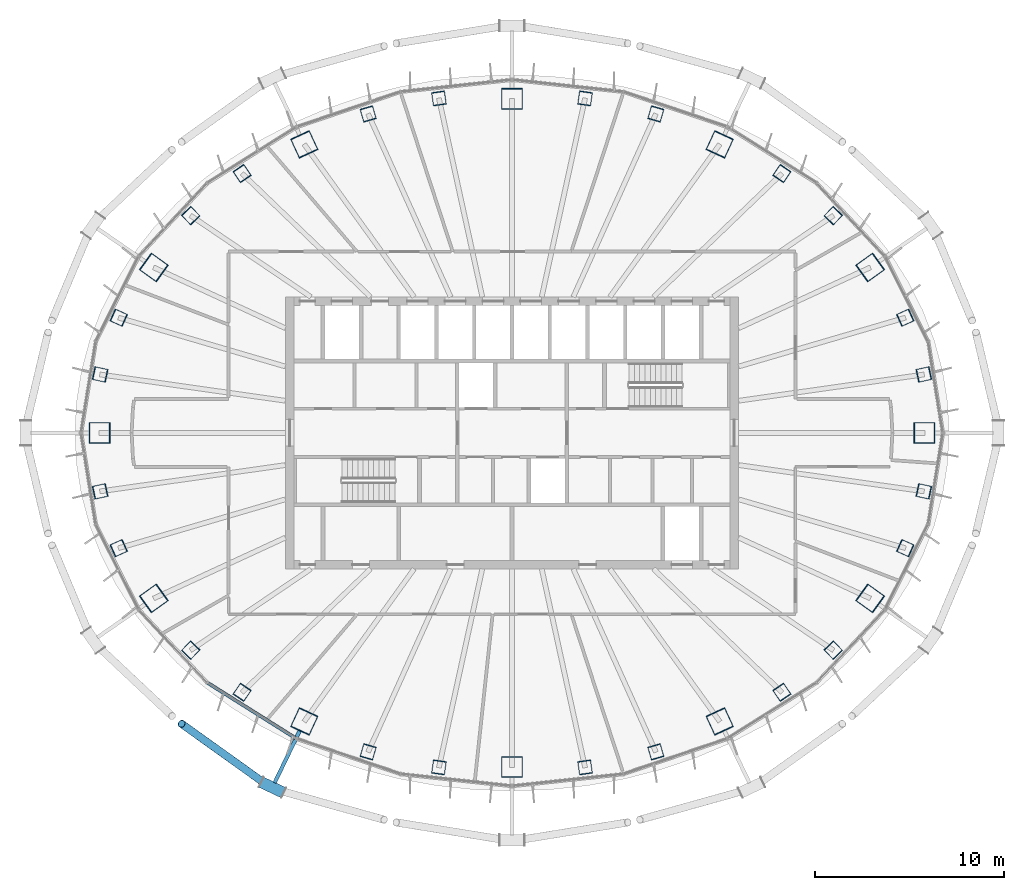
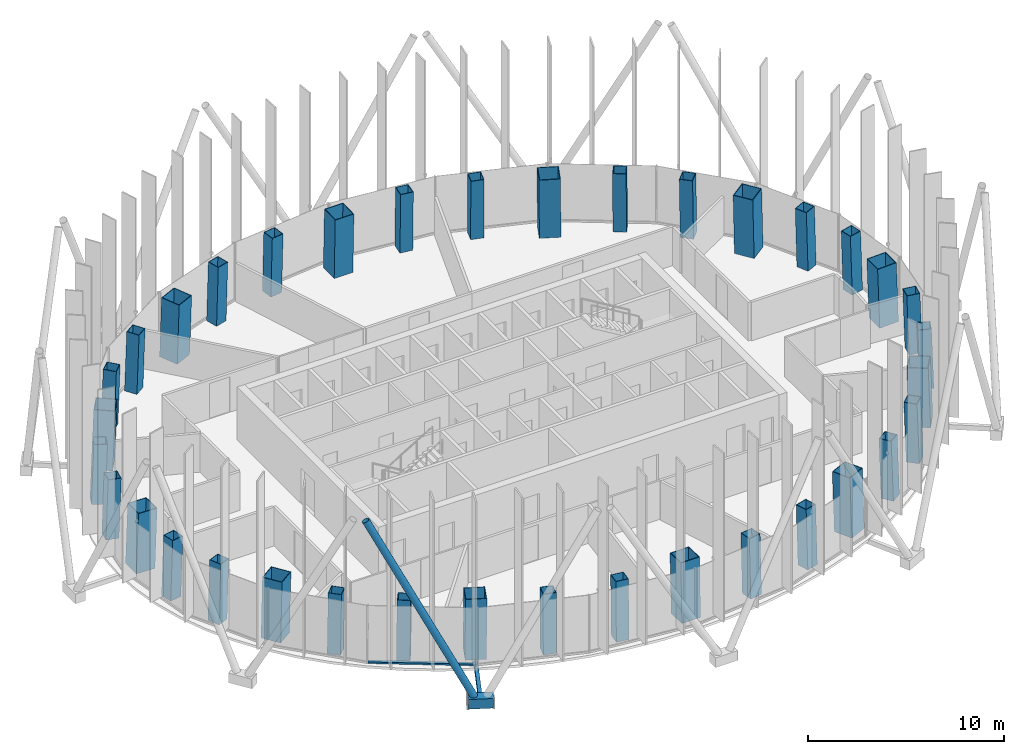
# One storey, part 1 of 17: 36 columns, 4 members, 1 element without a shape of its own.
"""IFC4 building model written with IfcOpenShell, lengths in metres."""

from ifc_helpers import new_model, si_unit, direction, frame, origin, origin_2d, place, context, subcontext, project, spatial, rectangle, hollow_rectangle, hollow_circle, extrude, material, layer, layer_set, material_profile, profile_set, type_object, element, aggregate, save


model = new_model("IFC4")

# Units and contexts
model_context = context("Model", 3, precision=1e-05, world=origin(), true_north=direction((0.0, 1.0)))
body_context = subcontext(model_context, "Body", "Model", "MODEL_VIEW")
ifc_project = project(units=[si_unit("LENGTHUNIT", "METRE"), si_unit("AREAUNIT", "SQUARE_METRE"), si_unit("VOLUMEUNIT", "CUBIC_METRE"), si_unit("PLANEANGLEUNIT", "RADIAN"), si_unit("MASSUNIT", "GRAM", prefix="KILO")], contexts=[model_context])

# Site, building, storey
site_placement = place(None, origin())
site = spatial("IfcSite", under=ifc_project, at=site_placement, CompositionType="ELEMENT")
building_placement = place(site_placement, origin())
building = spatial("IfcBuilding", under=site, at=building_placement, Name="Siaravel Broadcast Tower", CompositionType="ELEMENT")
storey_placement = place(building_placement, frame((0.0, 0.0, 190.39990234375)))
storey = spatial("IfcBuildingStorey", under=building, at=storey_placement, Name="L46", CompositionType="ELEMENT", Elevation=190.39990234375)

# Columns
ifc_material_1 = material(Name="Concrete C60/75", Category="concrete")
ifc_material_profile_1 = material_profile(ifc_material_1, hollow_rectangle(XDim=1.10009765625, YDim=1.10009765625, WallThickness=0.031982421875, at=origin_2d()))
ifc_profile_set_1 = profile_set([ifc_material_profile_1], Name="Concrete C60/75")
column_type_1 = type_object("IfcColumnType", Name="COL-CFT BOX 1100x1100x32", PredefinedType="COLUMN", material=ifc_profile_set_1)
column_1_placement = place(storey_placement, frame((21.852294921875, 0.0, 0.0), z_axis=(-0.034553121, 0.0, 0.999402863), x_axis=(0.0, -1.0, 0.0)))
element("IfcColumn", 1, at=column_1_placement, inside=storey, type_object=column_type_1, Name="Megacolumn MC01", PredefinedType="COLUMN", context=body_context, shape_type="SweptSolid", body=[
    extrude(hollow_rectangle(XDim=1.10009765625, YDim=1.10009765625, WallThickness=0.031982421875, at=origin_2d()), origin(), (0.0, 0.0, 1.0), 3.702392578125),
])
column_2_placement = place(storey_placement, frame((18.978271484375, 8.7666015625, 0.0), z_axis=(-0.030004578, -0.014177988, 0.999449203), x_axis=(0.583111534, -0.812370088, 0.005981537)))
element("IfcColumn", 2, at=column_2_placement, inside=storey, type_object=column_type_1, Name="Megacolumn MC02", PredefinedType="COLUMN", context=body_context, shape_type="SweptSolid", body=[
    extrude(hollow_rectangle(XDim=1.10009765625, YDim=1.10009765625, WallThickness=0.031982421875, at=origin_2d()), origin(), (0.0, 0.0, 1.0), 3.7021484375),
])
column_3_placement = place(storey_placement, frame((11.005859375, 15.287353515625, 0.0), z_axis=(-0.017279098, -0.024533681, 0.999549664), x_axis=(0.90834389, -0.418188718, 0.005438103)))
element("IfcColumn", 3, at=column_3_placement, inside=storey, type_object=column_type_1, Name="Megacolumn MC03", PredefinedType="COLUMN", context=body_context, shape_type="SweptSolid", body=[
    extrude(hollow_rectangle(XDim=1.10009765625, YDim=1.10009765625, WallThickness=0.031982421875, at=origin_2d()), origin(), (0.0, 0.0, 1.0), 3.701904296875),
])
column_4_placement = place(storey_placement, frame((0.0, 17.70068359375, 0.0), z_axis=(0.0, -0.02836019, 0.999597769), x_axis=(1.0, 0.0, 0.0)))
element("IfcColumn", 4, at=column_4_placement, inside=storey, type_object=column_type_1, Name="Megacolumn MC04", PredefinedType="COLUMN", context=body_context, shape_type="SweptSolid", body=[
    extrude(hollow_rectangle(XDim=1.10009765625, YDim=1.10009765625, WallThickness=0.031982421875, at=origin_2d()), origin(), (0.0, 0.0, 1.0), 3.70166015625),
])
column_5_placement = place(storey_placement, frame((-11.005859375, 15.287353515625, 0.0), z_axis=(0.017279098, -0.024533681, 0.999549664), x_axis=(0.90834389, 0.418188718, -0.005438103)))
element("IfcColumn", 5, at=column_5_placement, inside=storey, type_object=column_type_1, Name="Megacolumn MC05", PredefinedType="COLUMN", context=body_context, shape_type="SweptSolid", body=[
    extrude(hollow_rectangle(XDim=1.10009765625, YDim=1.10009765625, WallThickness=0.031982421875, at=origin_2d()), origin(), (0.0, 0.0, 1.0), 3.701904296875),
])
column_6_placement = place(storey_placement, frame((-18.978271484375, 8.7666015625, 0.0), z_axis=(0.030004578, -0.014177988, 0.999449203), x_axis=(0.583111534, 0.812370088, -0.005981537)))
element("IfcColumn", 6, at=column_6_placement, inside=storey, type_object=column_type_1, Name="Megacolumn MC06", PredefinedType="COLUMN", context=body_context, shape_type="SweptSolid", body=[
    extrude(hollow_rectangle(XDim=1.10009765625, YDim=1.10009765625, WallThickness=0.031982421875, at=origin_2d()), origin(), (0.0, 0.0, 1.0), 3.7021484375),
])
column_7_placement = place(storey_placement, frame((-21.852294921875, 0.0, 0.0), z_axis=(0.034553121, 0.0, 0.999402863), x_axis=(0.0, 1.0, 0.0)))
element("IfcColumn", 7, at=column_7_placement, inside=storey, type_object=column_type_1, Name="Megacolumn MC07", PredefinedType="COLUMN", context=body_context, shape_type="SweptSolid", body=[
    extrude(hollow_rectangle(XDim=1.10009765625, YDim=1.10009765625, WallThickness=0.031982421875, at=origin_2d()), origin(), (0.0, 0.0, 1.0), 3.702392578125),
])
column_8_placement = place(storey_placement, frame((-18.978271484375, -8.7666015625, 0.0), z_axis=(0.030004578, 0.014177988, 0.999449203), x_axis=(-0.583111534, 0.812370088, 0.005981537)))
element("IfcColumn", 8, at=column_8_placement, inside=storey, type_object=column_type_1, Name="Megacolumn MC08", PredefinedType="COLUMN", context=body_context, shape_type="SweptSolid", body=[
    extrude(hollow_rectangle(XDim=1.10009765625, YDim=1.10009765625, WallThickness=0.031982421875, at=origin_2d()), origin(), (0.0, 0.0, 1.0), 3.7021484375),
])
column_9_placement = place(storey_placement, frame((-11.005859375, -15.287353515625, 0.0), z_axis=(0.017279098, 0.024533681, 0.999549664), x_axis=(-0.90834389, 0.418188718, 0.005438103)))
element("IfcColumn", 9, at=column_9_placement, inside=storey, type_object=column_type_1, Name="Megacolumn MC09", PredefinedType="COLUMN", context=body_context, shape_type="SweptSolid", body=[
    extrude(hollow_rectangle(XDim=1.10009765625, YDim=1.10009765625, WallThickness=0.031982421875, at=origin_2d()), origin(), (0.0, 0.0, 1.0), 3.701904296875),
])
column_10_placement = place(storey_placement, frame((0.0, -17.70068359375, 0.0), z_axis=(0.0, 0.02836019, 0.999597769), x_axis=(-1.0, 0.0, 0.0)))
element("IfcColumn", 10, at=column_10_placement, inside=storey, type_object=column_type_1, Name="Megacolumn MC10", PredefinedType="COLUMN", context=body_context, shape_type="SweptSolid", body=[
    extrude(hollow_rectangle(XDim=1.10009765625, YDim=1.10009765625, WallThickness=0.031982421875, at=origin_2d()), origin(), (0.0, 0.0, 1.0), 3.70166015625),
])
column_11_placement = place(storey_placement, frame((11.005859375, -15.287353515625, 0.0), z_axis=(-0.017279098, 0.024533681, 0.999549664), x_axis=(-0.90834389, -0.418188718, -0.005438103)))
element("IfcColumn", 11, at=column_11_placement, inside=storey, type_object=column_type_1, Name="Megacolumn MC11", PredefinedType="COLUMN", context=body_context, shape_type="SweptSolid", body=[
    extrude(hollow_rectangle(XDim=1.10009765625, YDim=1.10009765625, WallThickness=0.031982421875, at=origin_2d()), origin(), (0.0, 0.0, 1.0), 3.701904296875),
])
column_12_placement = place(storey_placement, frame((18.978271484375, -8.7666015625, 0.0), z_axis=(-0.030004578, 0.014177988, 0.999449203), x_axis=(-0.583111534, -0.812370088, -0.005981537)))
element("IfcColumn", 12, at=column_12_placement, inside=storey, type_object=column_type_1, Name="Megacolumn MC12", PredefinedType="COLUMN", context=body_context, shape_type="SweptSolid", body=[
    extrude(hollow_rectangle(XDim=1.10009765625, YDim=1.10009765625, WallThickness=0.031982421875, at=origin_2d()), origin(), (0.0, 0.0, 1.0), 3.7021484375),
])
ifc_material_profile_2 = material_profile(ifc_material_1, hollow_rectangle(XDim=0.699951171875, YDim=0.699951171875, WallThickness=0.02490234375, at=origin_2d()))
ifc_profile_set_2 = profile_set([ifc_material_profile_2], Name="Concrete C60/75")
column_type_2 = type_object("IfcColumnType", Name="COL-CFT BOX 700x700x25", PredefinedType="COLUMN", material=ifc_profile_set_2)
for number, where, z_axis, x_axis, name in (
    (13, (21.821533203125, 3.09619140625, 0.0), (-0.034025803, -0.004879669, 0.999409042), (0.211866473, -0.977295573, 0.00244149), "Perimeter column C01"),
    (14, (20.837158203125, 6.105224609375, 0.0), (-0.032509669, -0.00962761, 0.99942505), (0.408630815, -0.912688669, 0.004500029), "Perimeter column C02"),
):
    element("IfcColumn", number, at=place(storey_placement, frame(where, z_axis=z_axis, x_axis=x_axis)), inside=storey, type_object=column_type_2, Name=name, PredefinedType="COLUMN", context=body_context, shape_type="SweptSolid", body=[
        extrude(hollow_rectangle(XDim=0.699951171875, YDim=0.699951171875, WallThickness=0.02490234375, at=origin_2d()), origin(), (0.0, 0.0, 1.0), 3.702392578125),
    ])
column_13_placement = place(storey_placement, frame((17.023681640625, 11.51220703125, 0.0), z_axis=(-0.026510431, -0.018201192, 0.999482823), x_axis=(0.720395191, -0.693533562, 0.0064782)))
element("IfcColumn", 15, at=column_13_placement, inside=storey, type_object=column_type_2, Name="Perimeter column C03", PredefinedType="COLUMN", context=body_context, shape_type="SweptSolid", body=[
    extrude(hollow_rectangle(XDim=0.699951171875, YDim=0.699951171875, WallThickness=0.02490234375, at=origin_2d()), origin(), (0.0, 0.0, 1.0), 3.7021484375),
])
column_14_placement = place(storey_placement, frame((14.30029296875, 13.742919921875, 0.0), z_axis=(-0.022224659, -0.021763019, 0.999516101), x_axis=(0.829326006, -0.55872981, 0.006274876)))
element("IfcColumn", 16, at=column_14_placement, inside=storey, type_object=column_type_2, Name="Perimeter column C04", PredefinedType="COLUMN", context=body_context, shape_type="SweptSolid", body=[
    extrude(hollow_rectangle(XDim=0.699951171875, YDim=0.699951171875, WallThickness=0.02490234375, at=origin_2d()), origin(), (0.0, 0.0, 1.0), 3.701904296875),
])
for number, where, z_axis, x_axis, name in (
    (17, (7.62158203125, 16.900146484375, 0.0), (-0.011805488, -0.026644788, 0.999575253), (0.960155413, -0.279439515, 0.003891149), "Perimeter column C05"),
    (18, (3.871337890625, 17.72314453125, 0.0), (-0.006001778, -0.027898372, 0.999592747), (0.990169418, -0.139858339, 0.002041788), "Perimeter column C06"),
    (19, (-3.871337890625, 17.72314453125, 0.0), (0.006001778, -0.027898372, 0.999592747), (0.990169418, 0.139858339, -0.002041788), "Perimeter column C07"),
    (20, (-7.62158203125, 16.900146484375, 0.0), (0.011805488, -0.026644788, 0.999575253), (0.960155413, 0.279439515, -0.003891149), "Perimeter column C08"),
):
    element("IfcColumn", number, at=place(storey_placement, frame(where, z_axis=z_axis, x_axis=x_axis)), inside=storey, type_object=column_type_2, Name=name, PredefinedType="COLUMN", context=body_context, shape_type="SweptSolid", body=[
        extrude(hollow_rectangle(XDim=0.699951171875, YDim=0.699951171875, WallThickness=0.02490234375, at=origin_2d()), origin(), (0.0, 0.0, 1.0), 3.70166015625),
    ])
column_15_placement = place(storey_placement, frame((-14.30029296875, 13.742919921875, 0.0), z_axis=(0.022224659, -0.021763019, 0.999516101), x_axis=(0.829326006, 0.55872981, -0.006274876)))
element("IfcColumn", 21, at=column_15_placement, inside=storey, type_object=column_type_2, Name="Perimeter column C09", PredefinedType="COLUMN", context=body_context, shape_type="SweptSolid", body=[
    extrude(hollow_rectangle(XDim=0.699951171875, YDim=0.699951171875, WallThickness=0.02490234375, at=origin_2d()), origin(), (0.0, 0.0, 1.0), 3.701904296875),
])
column_16_placement = place(storey_placement, frame((-17.023681640625, 11.51220703125, 0.0), z_axis=(0.026510431, -0.018201192, 0.999482823), x_axis=(0.720395191, 0.693533562, -0.0064782)))
element("IfcColumn", 22, at=column_16_placement, inside=storey, type_object=column_type_2, Name="Perimeter column C10", PredefinedType="COLUMN", context=body_context, shape_type="SweptSolid", body=[
    extrude(hollow_rectangle(XDim=0.699951171875, YDim=0.699951171875, WallThickness=0.02490234375, at=origin_2d()), origin(), (0.0, 0.0, 1.0), 3.7021484375),
])
for number, where, z_axis, x_axis, name in (
    (23, (-20.837158203125, 6.105224609375, 0.0), (0.032509669, -0.00962761, 0.99942505), (0.408630815, 0.912688669, -0.004500029), "Perimeter column C11"),
    (24, (-21.821533203125, 3.09619140625, 0.0), (0.034025803, -0.004879669, 0.999409042), (0.211866473, 0.977295573, -0.00244149), "Perimeter column C12"),
    (25, (-21.821533203125, -3.09619140625, 0.0), (0.034025803, 0.004879669, 0.999409042), (-0.211866473, 0.977295573, 0.00244149), "Perimeter column C13"),
    (26, (-20.837158203125, -6.105224609375, 0.0), (0.032509669, 0.00962761, 0.99942505), (-0.408630815, 0.912688669, 0.004500029), "Perimeter column C14"),
):
    element("IfcColumn", number, at=place(storey_placement, frame(where, z_axis=z_axis, x_axis=x_axis)), inside=storey, type_object=column_type_2, Name=name, PredefinedType="COLUMN", context=body_context, shape_type="SweptSolid", body=[
        extrude(hollow_rectangle(XDim=0.699951171875, YDim=0.699951171875, WallThickness=0.02490234375, at=origin_2d()), origin(), (0.0, 0.0, 1.0), 3.702392578125),
    ])
column_17_placement = place(storey_placement, frame((-17.023681640625, -11.51220703125, 0.0), z_axis=(0.026510431, 0.018201192, 0.999482823), x_axis=(-0.720395191, 0.693533562, 0.0064782)))
element("IfcColumn", 27, at=column_17_placement, inside=storey, type_object=column_type_2, Name="Perimeter column C15", PredefinedType="COLUMN", context=body_context, shape_type="SweptSolid", body=[
    extrude(hollow_rectangle(XDim=0.699951171875, YDim=0.699951171875, WallThickness=0.02490234375, at=origin_2d()), origin(), (0.0, 0.0, 1.0), 3.7021484375),
])
column_18_placement = place(storey_placement, frame((-14.30029296875, -13.742919921875, 0.0), z_axis=(0.022224659, 0.021763019, 0.999516101), x_axis=(-0.829326006, 0.55872981, 0.006274876)))
element("IfcColumn", 28, at=column_18_placement, inside=storey, type_object=column_type_2, Name="Perimeter column C16", PredefinedType="COLUMN", context=body_context, shape_type="SweptSolid", body=[
    extrude(hollow_rectangle(XDim=0.699951171875, YDim=0.699951171875, WallThickness=0.02490234375, at=origin_2d()), origin(), (0.0, 0.0, 1.0), 3.701904296875),
])
for number, where, z_axis, x_axis, name in (
    (29, (-7.62158203125, -16.900146484375, 0.0), (0.011805488, 0.026644788, 0.999575253), (-0.960155413, 0.279439515, 0.003891149), "Perimeter column C17"),
    (30, (-3.871337890625, -17.72314453125, 0.0), (0.006001778, 0.027898372, 0.999592747), (-0.990169418, 0.139858339, 0.002041788), "Perimeter column C18"),
    (31, (3.871337890625, -17.72314453125, 0.0), (-0.006001778, 0.027898372, 0.999592747), (-0.990169418, -0.139858339, -0.002041788), "Perimeter column C19"),
    (32, (7.62158203125, -16.900146484375, 0.0), (-0.011805488, 0.026644788, 0.999575253), (-0.960155413, -0.279439515, -0.003891149), "Perimeter column C20"),
):
    element("IfcColumn", number, at=place(storey_placement, frame(where, z_axis=z_axis, x_axis=x_axis)), inside=storey, type_object=column_type_2, Name=name, PredefinedType="COLUMN", context=body_context, shape_type="SweptSolid", body=[
        extrude(hollow_rectangle(XDim=0.699951171875, YDim=0.699951171875, WallThickness=0.02490234375, at=origin_2d()), origin(), (0.0, 0.0, 1.0), 3.70166015625),
    ])
column_19_placement = place(storey_placement, frame((14.30029296875, -13.742919921875, 0.0), z_axis=(-0.022224659, 0.021763019, 0.999516101), x_axis=(-0.829326006, -0.55872981, -0.006274876)))
element("IfcColumn", 33, at=column_19_placement, inside=storey, type_object=column_type_2, Name="Perimeter column C21", PredefinedType="COLUMN", context=body_context, shape_type="SweptSolid", body=[
    extrude(hollow_rectangle(XDim=0.699951171875, YDim=0.699951171875, WallThickness=0.02490234375, at=origin_2d()), origin(), (0.0, 0.0, 1.0), 3.701904296875),
])
column_20_placement = place(storey_placement, frame((17.023681640625, -11.51220703125, 0.0), z_axis=(-0.026510431, 0.018201192, 0.999482823), x_axis=(-0.720395191, -0.693533562, -0.0064782)))
element("IfcColumn", 34, at=column_20_placement, inside=storey, type_object=column_type_2, Name="Perimeter column C22", PredefinedType="COLUMN", context=body_context, shape_type="SweptSolid", body=[
    extrude(hollow_rectangle(XDim=0.699951171875, YDim=0.699951171875, WallThickness=0.02490234375, at=origin_2d()), origin(), (0.0, 0.0, 1.0), 3.7021484375),
])
for number, where, z_axis, x_axis, name in (
    (35, (20.837158203125, -6.105224609375, 0.0), (-0.032509669, 0.00962761, 0.99942505), (-0.408630815, -0.912688669, -0.004500029), "Perimeter column C23"),
    (36, (21.821533203125, -3.09619140625, 0.0), (-0.034025803, 0.004879669, 0.999409042), (-0.211866473, -0.977295573, -0.00244149), "Perimeter column C24"),
):
    element("IfcColumn", number, at=place(storey_placement, frame(where, z_axis=z_axis, x_axis=x_axis)), inside=storey, type_object=column_type_2, Name=name, PredefinedType="COLUMN", context=body_context, shape_type="SweptSolid", body=[
        extrude(hollow_rectangle(XDim=0.699951171875, YDim=0.699951171875, WallThickness=0.02490234375, at=origin_2d()), origin(), (0.0, 0.0, 1.0), 3.702392578125),
    ])

# Curtain wall, member
ifc_material_2 = material(Name="Aluminium 6063-T6", Category="aluminium")
ifc_layer = layer(ifc_material_2, 0.179931640625)
ifc_layer_set = layer_set([ifc_layer], Name="Aluminium 6063-T6")
curtain_wall_type = type_object("IfcCurtainWallType", Name="Unitised curtain wall, zone 3", PredefinedType="NOTDEFINED", material=ifc_layer_set)
curtain_wall_placement = place(storey_placement, origin())
curtain_wall = element("IfcCurtainWall", 37, at=curtain_wall_placement, inside=storey, type_object=curtain_wall_type, Name="L46 Unitised curtain wall, zone 3 08", PredefinedType="NOTDEFINED")
ifc_material_profile_3 = material_profile(ifc_material_2, rectangle(XDim=0.179931640625, YDim=0.10009765625, at=origin_2d()))
ifc_profile_set_3 = profile_set([ifc_material_profile_3], Name="Aluminium 6063-T6")
member_type_1 = type_object("IfcMemberType", Name="CW-Z3 transom", PredefinedType="USERDEFINED", material=ifc_profile_set_3)
member_1_placement = place(storey_placement, frame((-16.10009765625, -13.2373046875, 0.050048828125), z_axis=(0.846638839, -0.532167902, 0.0), x_axis=(0.532167902, 0.846638839, 0.0)))
member_1 = element("IfcMember", 38, at=member_1_placement, type_object=member_type_1, Name="CW-Z3 transom 2", ObjectType="TRANSOM", PredefinedType="USERDEFINED", context=body_context, shape_type="SweptSolid", body=[
    extrude(rectangle(XDim=0.179931640625, YDim=0.10009765625, at=origin_2d()), origin(), (0.0, 0.0, 1.0), 5.489501953125),
])
aggregate(curtain_wall, [member_1])

# Members
ifc_material_3 = material(Name="Steel S460", Category="steel")
ifc_material_profile_4 = material_profile(ifc_material_3, hollow_circle(Radius=0.203125, WallThickness=0.01611328125, at=origin_2d()))
ifc_profile_set_4 = profile_set([ifc_material_profile_4], Name="Steel S460")
member_type_2 = type_object("IfcMemberType", Name="Diagrid diagonal CHS 406.4x16", PredefinedType="BRACE", material=ifc_profile_set_4)
member_2_placement = place(storey_placement, frame((-12.976318359375, -18.630126953125, 0.070068359375), z_axis=(-0.378431016, 0.270813609, 0.885127084), x_axis=(-0.581957602, -0.813219128, 0.0)))
element("IfcMember", 39, at=member_2_placement, inside=storey, type_object=member_type_2, Name="Diagrid diagonal R19 station 48C", PredefinedType="BRACE", context=body_context, shape_type="SweptSolid", body=[
    extrude(hollow_circle(Radius=0.203125, WallThickness=0.01611328125, at=origin_2d()), origin(), (0.0, 0.0, 1.0), 11.9306640625),
])
ifc_material_profile_5 = material_profile(ifc_material_3, hollow_rectangle(XDim=0.60009765625, YDim=0.60009765625, WallThickness=0.031982421875, at=origin_2d()))
ifc_profile_set_5 = profile_set([ifc_material_profile_5], Name="Steel S460")
member_type_3 = type_object("IfcMemberType", Name="Diagrid node BOX 600x600x32", PredefinedType="USERDEFINED", material=ifc_profile_set_5)
member_3_placement = place(storey_placement, frame((-13.268310546875, -18.491943359375, -0.199951171875), z_axis=(0.903991359, -0.427550726, 0.0), x_axis=(0.427550726, 0.903991359, 0.0)))
element("IfcMember", 40, at=member_3_placement, inside=storey, type_object=member_type_3, Name="Diagrid node R19 station 48", ObjectType="DIAGRID NODE", PredefinedType="USERDEFINED", context=body_context, shape_type="SweptSolid", body=[
    extrude(hollow_rectangle(XDim=0.60009765625, YDim=0.60009765625, WallThickness=0.031982421875, at=origin_2d()), origin(), (0.0, 0.0, 1.0), 1.29345703125),
])
ifc_material_profile_6 = material_profile(ifc_material_3, hollow_rectangle(XDim=0.199951171875, YDim=0.300048828125, WallThickness=0.012451171875, at=origin_2d()))
ifc_profile_set_6 = profile_set([ifc_material_profile_6], Name="Steel S460")
member_type_4 = type_object("IfcMemberType", Name="Diagrid node arm RHS 300x200x12.5", PredefinedType="STRUT", material=ifc_profile_set_6)
member_4_placement = place(storey_placement, frame((-11.231689453125, -15.755859375, -0.199951171875), z_axis=(-0.434238201, -0.900798082, 0.0), x_axis=(0.900798082, -0.434238201, 0.0)))
element("IfcMember", 41, at=member_4_placement, inside=storey, type_object=member_type_4, Name="Node arm R19 station 48", PredefinedType="STRUT", context=body_context, shape_type="SweptSolid", body=[
    extrude(hollow_rectangle(XDim=0.199951171875, YDim=0.300048828125, WallThickness=0.012451171875, at=origin_2d()), origin(), (0.0, 0.0, 1.0), 3.07421875),
])

save(model, "model.ifc")
